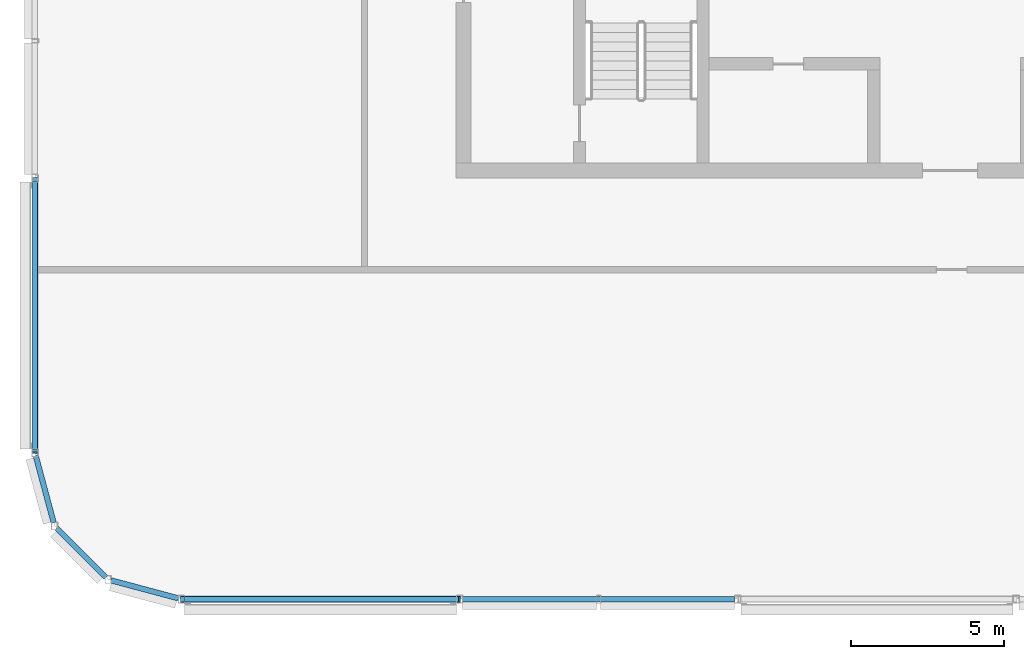
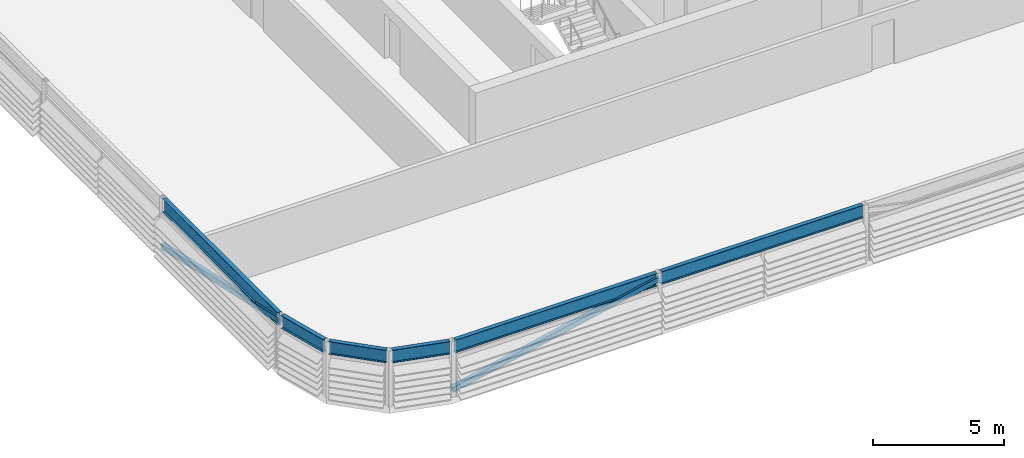
# One storey, part 5 of 27: 6 beams, 2 members.
"""IFC4 building model written with IfcOpenShell, lengths in metres."""

from ifc_helpers import new_model, si_unit, direction, frame, origin, origin_2d, place, context, subcontext, project, spatial, hollow_rectangle, i_section, extrude, material, material_profile, profile_set, type_object, element, save


model = new_model("IFC4")

# Units and contexts
model_context = context("Model", 3, precision=1e-05, world=origin(), true_north=direction((0.0, 1.0)))
body_context = subcontext(model_context, "Body", "Model", "MODEL_VIEW")
ifc_project = project(units=[si_unit("LENGTHUNIT", "METRE"), si_unit("AREAUNIT", "SQUARE_METRE"), si_unit("VOLUMEUNIT", "CUBIC_METRE"), si_unit("PLANEANGLEUNIT", "RADIAN"), si_unit("MASSUNIT", "GRAM", prefix="KILO")], contexts=[model_context])

# Site, building, storey
site_placement = place(None, origin())
site = spatial("IfcSite", under=ifc_project, at=site_placement, CompositionType="ELEMENT")
building_placement = place(site_placement, origin())
building = spatial("IfcBuilding", under=site, at=building_placement, Name="Madar Terraces", CompositionType="ELEMENT")
storey_placement = place(building_placement, frame((0.0, 0.0, 314.300048828125)))
storey = spatial("IfcBuildingStorey", under=building, at=storey_placement, Name="L81", CompositionType="ELEMENT", Elevation=314.300048828125)

# Beams
ifc_material_1 = material(Name="Steel ASTM A992 Grade 50", Category="steel")
ifc_material_profile_1 = material_profile(ifc_material_1, i_section(OverallWidth=0.1787109375, OverallDepth=0.60205078125, WebThickness=0.010986328125, FlangeThickness=0.014892578125, at=origin_2d()), Name="W24x62")
ifc_profile_set_1 = profile_set([ifc_material_profile_1], Name="Steel ASTM A992 Grade 50")
beam_type = type_object("IfcBeamType", Name="CF2 W24x62", PredefinedType="BEAM", material=ifc_profile_set_1)
for number, where, z_axis, x_axis, name in (
    (1, (6.1015625, 1.199951171875, 2.299072265625), (1.0, 0.0, 0.0), (0.0, 1.0, 0.0), "Crown frame ring beam CF2"),
    (2, (15.2216796875, 1.199951171875, 2.299072265625), (1.0, 0.0, 0.0), (0.0, 1.0, 0.0), "Crown frame ring beam CF2"),
):
    element("IfcBeam", number, at=place(storey_placement, frame(where, z_axis=z_axis, x_axis=x_axis)), inside=storey, type_object=beam_type, Name=name, PredefinedType="BEAM", context=body_context, shape_type="SweptSolid", body=[
        extrude(i_section(OverallWidth=0.1787109375, OverallDepth=0.60205078125, WebThickness=0.010986328125, FlangeThickness=0.014892578125, at=origin_2d()), origin(), (0.0, 0.0, 1.0), 8.916748046875),
    ])
beam_1_placement = place(storey_placement, frame((1.199951171875, 14.8984375, 2.299072265625), z_axis=(0.0, -1.0, 0.0), x_axis=(1.0, 0.0, 0.0)))
element("IfcBeam", 3, at=beam_1_placement, inside=storey, type_object=beam_type, Name="Crown frame ring beam CF2", PredefinedType="BEAM", context=body_context, shape_type="SweptSolid", body=[
    extrude(i_section(OverallWidth=0.1787109375, OverallDepth=0.60205078125, WebThickness=0.010986328125, FlangeThickness=0.014892578125, at=origin_2d()), origin(), (0.0, 0.0, 1.0), 8.796875),
])
beam_2_placement = place(storey_placement, frame((1.226318359375, 5.90185546875, 2.299072265625), z_axis=(0.258868028067, -0.965912700012, 0.0), x_axis=(0.965912700012, 0.258868028067, 0.0)))
element("IfcBeam", 4, at=beam_2_placement, inside=storey, type_object=beam_type, Name="Crown frame ring beam CF2", PredefinedType="BEAM", context=body_context, shape_type="SweptSolid", body=[
    extrude(i_section(OverallWidth=0.1787109375, OverallDepth=0.60205078125, WebThickness=0.010986328125, FlangeThickness=0.014892578125, at=origin_2d()), origin(), (0.0, 0.0, 1.0), 2.281494140625),
])
beam_3_placement = place(storey_placement, frame((1.9150390625, 3.528076171875, 2.299072265625), z_axis=(0.707106781187, -0.707106781187, 0.0), x_axis=(0.707106781187, 0.707106781187, 0.0)))
element("IfcBeam", 5, at=beam_3_placement, inside=storey, type_object=beam_type, Name="Crown frame ring beam CF2", PredefinedType="BEAM", context=body_context, shape_type="SweptSolid", body=[
    extrude(i_section(OverallWidth=0.1787109375, OverallDepth=0.60205078125, WebThickness=0.010986328125, FlangeThickness=0.014892578125, at=origin_2d()), origin(), (0.0, 0.0, 1.0), 2.28125),
])
beam_4_placement = place(storey_placement, frame((3.6982421875, 1.81689453125, 2.299072265625), z_axis=(0.965912700012, -0.258868028067, 0.0), x_axis=(0.258868028067, 0.965912700012, 0.0)))
element("IfcBeam", 6, at=beam_4_placement, inside=storey, type_object=beam_type, Name="Crown frame ring beam CF2", PredefinedType="BEAM", context=body_context, shape_type="SweptSolid", body=[
    extrude(i_section(OverallWidth=0.1787109375, OverallDepth=0.60205078125, WebThickness=0.010986328125, FlangeThickness=0.014892578125, at=origin_2d()), origin(), (0.0, 0.0, 1.0), 2.281494140625),
])

# Members
ifc_material_2 = material(Name="Steel ASTM A500 Grade C", Category="steel")
ifc_material_profile_2 = material_profile(ifc_material_2, hollow_rectangle(XDim=0.203125, YDim=0.25390625, WallThickness=0.009521484375, InnerFilletRadius=0.00439453125, OuterFilletRadius=0.01318359375, at=origin_2d()), Name="HSS10x8x.375")
ifc_profile_set_2 = profile_set([ifc_material_profile_2], Name="Steel ASTM A500 Grade C")
member_type = type_object("IfcMemberType", Name="CF5 crown frame brace HSS10x8x.375", PredefinedType="BRACE", material=ifc_profile_set_2)
member_1_placement = place(storey_placement, frame((6.0, 1.199951171875, 0.300048828125), z_axis=(0.976810543859, 0.0, 0.214105491303), x_axis=(0.0, 1.0, 0.0)))
element("IfcMember", 7, at=member_1_placement, inside=storey, type_object=member_type, Name="Crown frame brace CF5", PredefinedType="BRACE", context=body_context, shape_type="SweptSolid", body=[
    extrude(hollow_rectangle(XDim=0.203125, YDim=0.25390625, WallThickness=0.009521484375, InnerFilletRadius=0.00439453125, OuterFilletRadius=0.01318359375, at=origin_2d()), origin(), (0.0, 0.0, 1.0), 9.336669921875),
])
member_2_placement = place(storey_placement, frame((1.199951171875, 15.0, 0.300048828125), z_axis=(0.0, -0.976209486249, 0.21682951588), x_axis=(1.0, 0.0, 0.0)))
element("IfcMember", 8, at=member_2_placement, inside=storey, type_object=member_type, Name="Crown frame brace CF5", PredefinedType="BRACE", context=body_context, shape_type="SweptSolid", body=[
    extrude(hollow_rectangle(XDim=0.203125, YDim=0.25390625, WallThickness=0.009521484375, InnerFilletRadius=0.00439453125, OuterFilletRadius=0.01318359375, at=origin_2d()), origin(), (0.0, 0.0, 1.0), 9.21923828125),
])

save(model, "model.ifc")
